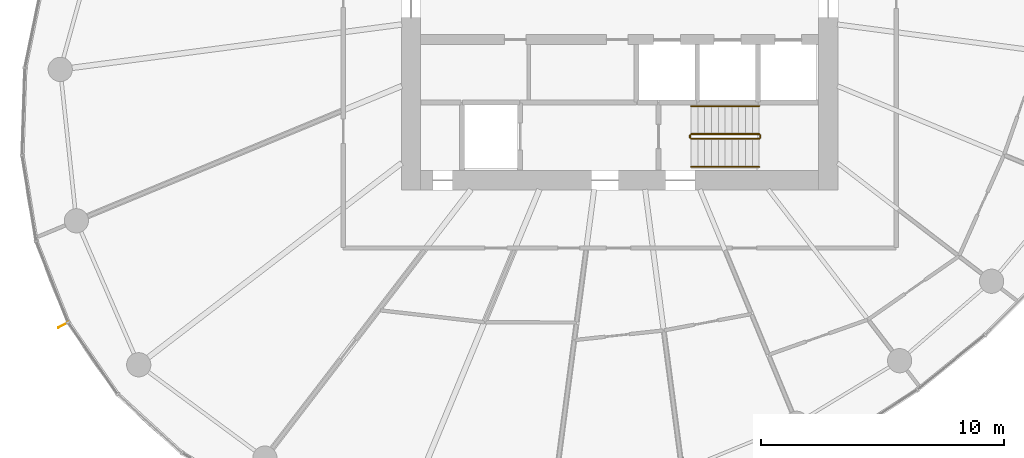
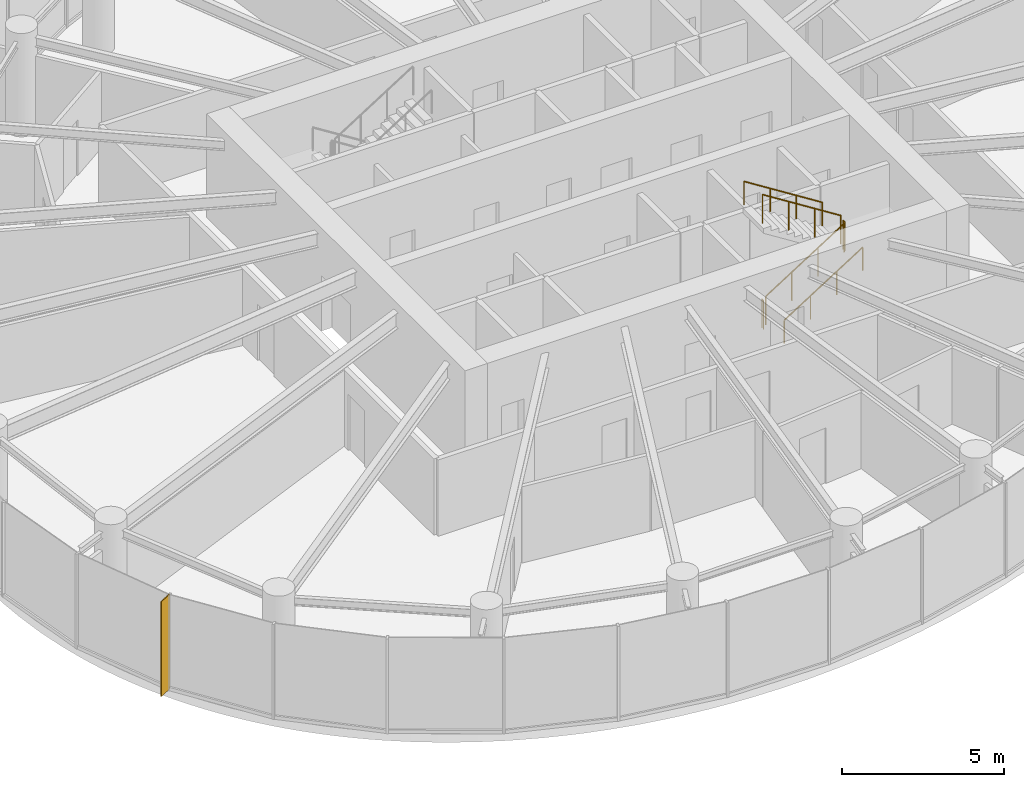
# One storey, part 12 of 14: 6 railings, 1 shading device.
"""IFC4 building model written with IfcOpenShell, lengths in metres."""

from ifc_helpers import new_model, si_unit, direction, frame, origin, origin_2d, place, context, subcontext, project, spatial, rectangle, circle, extrude, source, transform, mapped, material, material_profile, profile_set, type_object, element, save


model = new_model("IFC4")

# Units and contexts
model_context = context("Model", 3, precision=1e-05, world=origin(), true_north=direction((0.0, 1.0)))
body_context = subcontext(model_context, "Body", "Model", "MODEL_VIEW")
ifc_project = project(units=[si_unit("LENGTHUNIT", "METRE"), si_unit("AREAUNIT", "SQUARE_METRE"), si_unit("VOLUMEUNIT", "CUBIC_METRE"), si_unit("PLANEANGLEUNIT", "RADIAN"), si_unit("MASSUNIT", "GRAM", prefix="KILO")], contexts=[model_context])

# Site, building, storey
site_placement = place(None, origin())
site = spatial("IfcSite", under=ifc_project, at=site_placement, CompositionType="ELEMENT")
building_placement = place(site_placement, origin())
building = spatial("IfcBuilding", under=site, at=building_placement, Name="Spindrift Exchange Tower", CompositionType="ELEMENT")
storey_placement = place(building_placement, frame((0.0, 0.0, 148.699951171875)))
storey = spatial("IfcBuildingStorey", under=building, at=storey_placement, Name="L35", CompositionType="ELEMENT", Elevation=148.699951171875)

# Railings
ifc_material_1 = material(Name="Steel balustrade", Category="steel")
railing_type_1 = type_object("IfcRailingType", Name="RL-STAIR-GUARD", PredefinedType="GUARDRAIL", material=ifc_material_1)
railing_1_placement = place(storey_placement, frame((54.949951171875, 42.10009765625, 0.17724609375)))
element("IfcRailing", 1, at=railing_1_placement, inside=storey, type_object=railing_type_1, Name="L35 ST2 stair guard 1", PredefinedType="GUARDRAIL", context=body_context, shape_type="SweptSolid", body=[
    extrude(circle(Radius=0.02392578125, at=origin_2d()), frame((0.0, 0.0, 1.076171875), z_axis=(0.844908973607, 0.0, 0.534910110503), x_axis=(0.0, 1.0, 0.0)), (0.0, 0.0, 1.0), 3.31396484375),
    extrude(circle(Radius=0.02099609375, at=origin_2d()), origin(), (0.0, 0.0, 1.0), 1.052001953125),
    extrude(circle(Radius=0.02099609375, at=origin_2d()), frame((0.933349609375, 0.0, 0.5908203125)), (0.0, 0.0, 1.0), 1.052001953125),
    extrude(circle(Radius=0.02099609375, at=origin_2d()), frame((1.86669921875, 0.0, 1.181884765625)), (0.0, 0.0, 1.0), 1.052001953125),
    extrude(circle(Radius=0.02099609375, at=origin_2d()), frame((2.800048828125, 0.0, 1.772705078125)), (0.0, 0.0, 1.0), 1.052001953125),
])
railing_2_placement = place(storey_placement, frame((57.800048828125, 42.14990234375, 1.949951171875)))
element("IfcRailing", 2, at=railing_2_placement, inside=storey, type_object=railing_type_1, Name="L35 ST2 stair guard 2", PredefinedType="GUARDRAIL", context=body_context, shape_type="SweptSolid", body=[
    extrude(circle(Radius=0.02392578125, at=origin_2d()), frame((0.0, 0.0, 1.076171875), z_axis=(0.0, 1.0, 0.0), x_axis=(-1.0, 0.0, 0.0)), (0.0, 0.0, 1.0), 0.10009765625),
    extrude(circle(Radius=0.02099609375, at=origin_2d()), origin(), (0.0, 0.0, 1.0), 1.052001953125),
    extrude(circle(Radius=0.02099609375, at=origin_2d()), frame((0.0, 0.10009765625, 0.0)), (0.0, 0.0, 1.0), 1.052001953125),
])
railing_3_placement = place(storey_placement, frame((57.75, 42.300048828125, 2.12744140625)))
element("IfcRailing", 3, at=railing_3_placement, inside=storey, type_object=railing_type_1, Name="L35 ST2 stair guard 3", PredefinedType="GUARDRAIL", context=body_context, shape_type="SweptSolid", body=[
    extrude(circle(Radius=0.02392578125, at=origin_2d()), frame((0.0, 0.0, 1.076171875), z_axis=(-0.844908973607, 0.0, 0.534910110503), x_axis=(0.0, -1.0, 0.0)), (0.0, 0.0, 1.0), 3.31396484375),
    extrude(circle(Radius=0.02099609375, at=origin_2d()), origin(), (0.0, 0.0, 1.0), 1.052001953125),
    extrude(circle(Radius=0.02099609375, at=origin_2d()), frame((-0.933349609375, 0.0, 0.5908203125)), (0.0, 0.0, 1.0), 1.052001953125),
    extrude(circle(Radius=0.02099609375, at=origin_2d()), frame((-1.86669921875, 0.0, 1.181884765625)), (0.0, 0.0, 1.0), 1.052001953125),
    extrude(circle(Radius=0.02099609375, at=origin_2d()), frame((-2.800048828125, 0.0, 1.772705078125)), (0.0, 0.0, 1.0), 1.052001953125),
])
railing_4_placement = place(storey_placement, frame((54.89990234375, 42.14990234375, 0.0)))
element("IfcRailing", 4, at=railing_4_placement, inside=storey, type_object=railing_type_1, Name="L35 ST2 stair guard 4", PredefinedType="GUARDRAIL", context=body_context, shape_type="SweptSolid", body=[
    extrude(circle(Radius=0.02392578125, at=origin_2d()), frame((0.0, 0.0, 1.076171875), z_axis=(0.0, 1.0, 0.0), x_axis=(-1.0, 0.0, 0.0)), (0.0, 0.0, 1.0), 0.10009765625),
    extrude(circle(Radius=0.02099609375, at=origin_2d()), origin(), (0.0, 0.0, 1.0), 1.052001953125),
    extrude(circle(Radius=0.02099609375, at=origin_2d()), frame((0.0, 0.10009765625, 0.0)), (0.0, 0.0, 1.0), 1.052001953125),
])
ifc_material_2 = material(Name="Steel tubular handrail", Category="steel")
railing_type_2 = type_object("IfcRailingType", Name="RL-STAIR-HAND", PredefinedType="HANDRAIL", material=ifc_material_2)
railing_5_placement = place(storey_placement, frame((54.949951171875, 40.949951171875, 0.17724609375)))
element("IfcRailing", 5, at=railing_5_placement, inside=storey, type_object=railing_type_2, Name="L35 ST2 stair handrail 1", PredefinedType="HANDRAIL", context=body_context, shape_type="SweptSolid", body=[
    extrude(circle(Radius=0.02392578125, at=origin_2d()), frame((0.0, 0.0, 0.8759765625), z_axis=(0.844908973607, 0.0, 0.534910110503), x_axis=(0.0, 1.0, 0.0)), (0.0, 0.0, 1.0), 3.31396484375),
    extrude(circle(Radius=0.02099609375, at=origin_2d()), origin(), (0.0, 0.0, 1.0), 0.851806640625),
    extrude(circle(Radius=0.02099609375, at=origin_2d()), frame((0.933349609375, 0.0, 0.5908203125)), (0.0, 0.0, 1.0), 0.851806640625),
    extrude(circle(Radius=0.02099609375, at=origin_2d()), frame((1.86669921875, 0.0, 1.181884765625)), (0.0, 0.0, 1.0), 0.851806640625),
    extrude(circle(Radius=0.02099609375, at=origin_2d()), frame((2.800048828125, 0.0, 1.772705078125)), (0.0, 0.0, 1.0), 0.851806640625),
])
railing_6_placement = place(storey_placement, frame((57.75, 43.449951171875, 2.12744140625)))
element("IfcRailing", 6, at=railing_6_placement, inside=storey, type_object=railing_type_2, Name="L35 ST2 stair handrail 2", PredefinedType="HANDRAIL", context=body_context, shape_type="SweptSolid", body=[
    extrude(circle(Radius=0.02392578125, at=origin_2d()), frame((0.0, 0.0, 0.8759765625), z_axis=(-0.844908973607, 0.0, 0.534910110503), x_axis=(0.0, -1.0, 0.0)), (0.0, 0.0, 1.0), 3.31396484375),
    extrude(circle(Radius=0.02099609375, at=origin_2d()), origin(), (0.0, 0.0, 1.0), 0.851806640625),
    extrude(circle(Radius=0.02099609375, at=origin_2d()), frame((-0.933349609375, 0.0, 0.5908203125)), (0.0, 0.0, 1.0), 0.851806640625),
    extrude(circle(Radius=0.02099609375, at=origin_2d()), frame((-1.86669921875, 0.0, 1.181884765625)), (0.0, 0.0, 1.0), 0.851806640625),
    extrude(circle(Radius=0.02099609375, at=origin_2d()), frame((-2.800048828125, 0.0, 1.772705078125)), (0.0, 0.0, 1.0), 0.851806640625),
])

# Shading device
ifc_material_3 = material(Name="Bronze anodised aluminium", Category="aluminium")
ifc_material_profile = material_profile(ifc_material_3, rectangle(XDim=0.030029296875, YDim=0.5, at=origin_2d()), Name="WIND FIN 30X500")
ifc_profile_set = profile_set([ifc_material_profile], Name="Bronze anodised aluminium")
shading_device_type = type_object("IfcShadingDeviceType", Name="WIND FIN 30X500", PredefinedType="USERDEFINED", material=ifc_profile_set)
shared_shape = source(origin(), body_context, "Body", "SweptSolid", [
    extrude(rectangle(XDim=0.030029296875, YDim=0.5, at=origin_2d()), origin(), (0.0, 0.0, 1.0), 3.580078125),
])
shading_device_placement = place(storey_placement, frame((29.074462890625, 34.43310546875, 0.0), z_axis=(0.0, 0.0, 1.0), x_axis=(0.469975404503, -0.882679511013, 0.0)))
element("IfcShadingDevice", 7, at=shading_device_placement, inside=storey, type_object=shading_device_type, Name="L35 wind fin 1", ObjectType="FIN", PredefinedType="USERDEFINED", context=body_context, shape_type="MappedRepresentation", body=[
    mapped(shared_shape, transform((0.0, 0.0, 0.0), scale=1.0)),
])

save(model, "model.ifc")
